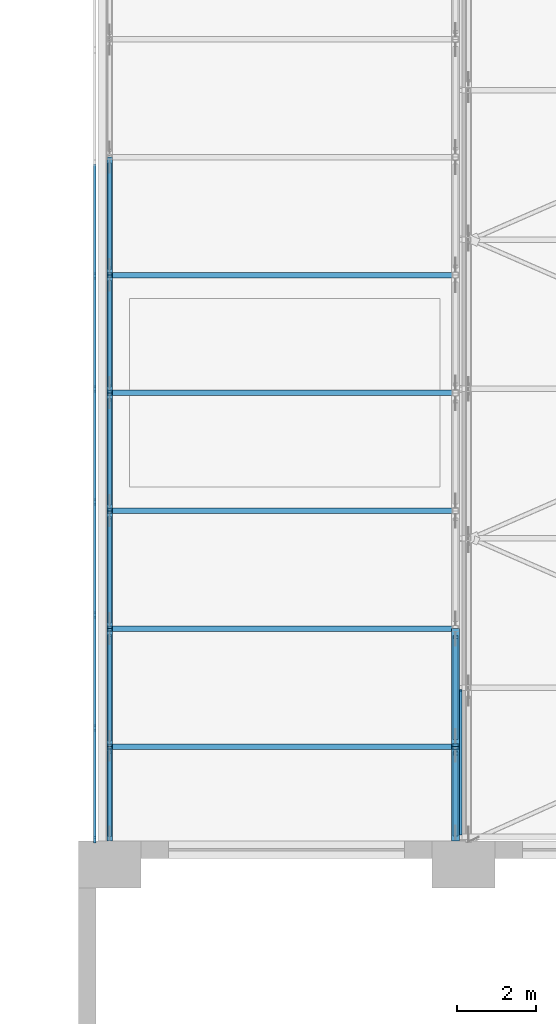
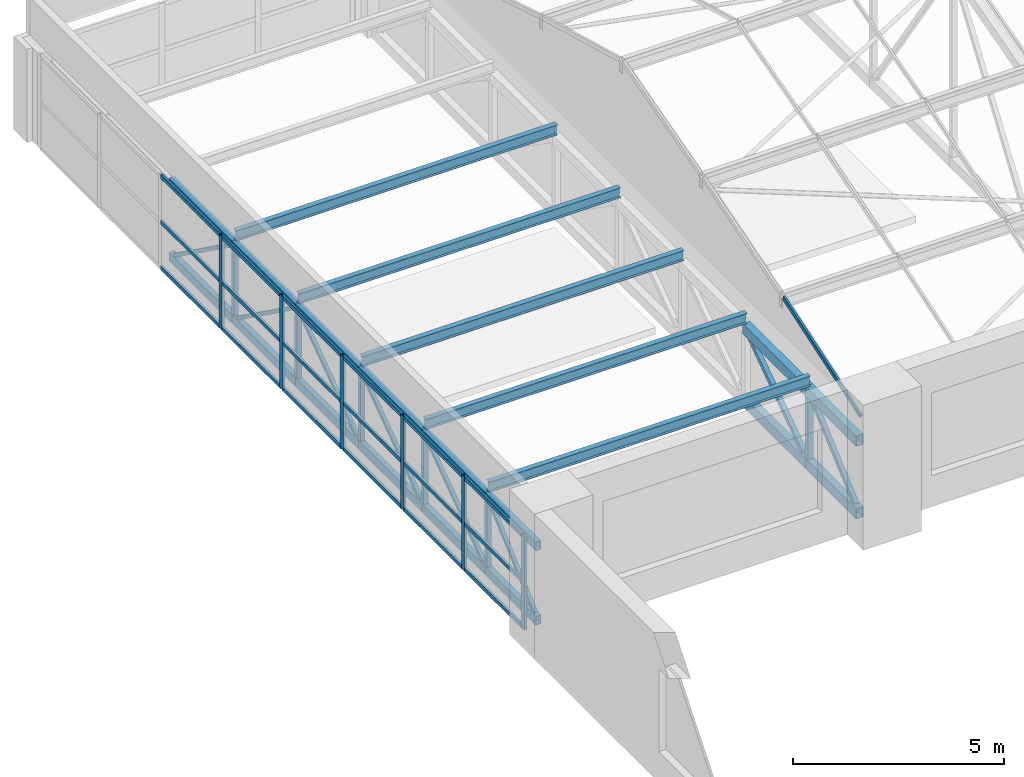
# One storey, part 5 of 82: 60 members, 2 elements without a shape of their own.
"""IFC4 building model written with IfcOpenShell, lengths in metres."""

from ifc_helpers import new_model, si_unit, direction, frame, origin, origin_2d, place, context, subcontext, project, spatial, rectangle, hollow_rectangle, i_section, extrude, material, material_profile, profile_set, type_object, element, aggregate, save


model = new_model("IFC4")

# Units and contexts
model_context = context("Model", 3, precision=1e-05, world=origin(), true_north=direction((0.0, 1.0)))
body_context = subcontext(model_context, "Body", "Model", "MODEL_VIEW")
ifc_project = project(units=[si_unit("LENGTHUNIT", "METRE"), si_unit("AREAUNIT", "SQUARE_METRE"), si_unit("VOLUMEUNIT", "CUBIC_METRE"), si_unit("PLANEANGLEUNIT", "RADIAN"), si_unit("MASSUNIT", "GRAM", prefix="KILO")], contexts=[model_context])

# Site, building, storey
site_placement = place(None, origin())
site = spatial("IfcSite", under=ifc_project, at=site_placement, CompositionType="ELEMENT")
building_placement = place(site_placement, origin())
building = spatial("IfcBuilding", under=site, at=building_placement, Name="Aravalli Gate Trade Fair Centre", CompositionType="ELEMENT")
storey_placement = place(building_placement, frame((0.0, 0.0, 19.199951171875)))
storey = spatial("IfcBuildingStorey", under=building, at=storey_placement, Name="L04", CompositionType="ELEMENT", Elevation=19.199951171875)

# Curtain wall, members
ifc_material_1 = material(Name="Aluminium and glass", Category="aluminium")
curtain_wall_type_1 = type_object("IfcCurtainWallType", Name="Curtain wall 3000 module", PredefinedType="NOTDEFINED", material=ifc_material_1)
curtain_wall_1_placement = place(storey_placement, origin())
curtain_wall_1 = element("IfcCurtainWall", 1, at=curtain_wall_1_placement, inside=storey, type_object=curtain_wall_type_1, Name="Curtain wall west end L04", PredefinedType="NOTDEFINED")
ifc_material_2 = material(Name="Aluminium", Category="aluminium")
ifc_material_profile_1 = material_profile(ifc_material_2, rectangle(XDim=0.06005859375, YDim=0.159912109375, at=origin_2d()), Name="Concourse curtain wall mullion 60 x 160")
ifc_profile_set_1 = profile_set([ifc_material_profile_1], Name="Aluminium")
member_type_1 = type_object("IfcMemberType", Name="Concourse curtain wall mullion 60 x 160", PredefinedType="MULLION", material=ifc_profile_set_1)
member_1_placement = place(storey_placement, frame((5.6201171875, 109.6298828125, 0.0), z_axis=(0.0, 0.0, 1.0), x_axis=(-1.0, 0.0, 0.0)))
member_1 = element("IfcMember", 2, at=member_1_placement, type_object=member_type_1, Name="CW1 mullion 1", PredefinedType="MULLION", context=body_context, shape_type="SweptSolid", body=[
    extrude(rectangle(XDim=0.06005859375, YDim=0.159912109375, at=origin_2d()), origin(), (0.0, 0.0, 1.0), 2.699951171875),
])
member_2_placement = place(storey_placement, frame((5.6201171875, 112.47509765625, 0.0), z_axis=(0.0, 0.0, 1.0), x_axis=(-1.0, 0.0, 0.0)))
member_2 = element("IfcMember", 3, at=member_2_placement, type_object=member_type_1, Name="CW1 mullion 2", PredefinedType="MULLION", context=body_context, shape_type="SweptSolid", body=[
    extrude(rectangle(XDim=0.06005859375, YDim=0.159912109375, at=origin_2d()), origin(), (0.0, 0.0, 1.0), 2.699951171875),
])
member_3_placement = place(storey_placement, frame((5.6201171875, 115.35009765625, 0.0), z_axis=(0.0, 0.0, 1.0), x_axis=(-1.0, 0.0, 0.0)))
member_3 = element("IfcMember", 4, at=member_3_placement, type_object=member_type_1, Name="CW1 mullion 3", PredefinedType="MULLION", context=body_context, shape_type="SweptSolid", body=[
    extrude(rectangle(XDim=0.06005859375, YDim=0.159912109375, at=origin_2d()), origin(), (0.0, 0.0, 1.0), 2.699951171875),
])
member_4_placement = place(storey_placement, frame((5.6201171875, 118.22509765625, 0.0), z_axis=(0.0, 0.0, 1.0), x_axis=(-1.0, 0.0, 0.0)))
member_4 = element("IfcMember", 5, at=member_4_placement, type_object=member_type_1, Name="CW1 mullion 4", PredefinedType="MULLION", context=body_context, shape_type="SweptSolid", body=[
    extrude(rectangle(XDim=0.06005859375, YDim=0.159912109375, at=origin_2d()), origin(), (0.0, 0.0, 1.0), 2.699951171875),
])
member_5_placement = place(storey_placement, frame((5.6201171875, 121.10009765625, 0.0), z_axis=(0.0, 0.0, 1.0), x_axis=(-1.0, 0.0, 0.0)))
member_5 = element("IfcMember", 6, at=member_5_placement, type_object=member_type_1, Name="CW1 mullion 5", PredefinedType="MULLION", context=body_context, shape_type="SweptSolid", body=[
    extrude(rectangle(XDim=0.06005859375, YDim=0.159912109375, at=origin_2d()), origin(), (0.0, 0.0, 1.0), 2.699951171875),
])
member_6_placement = place(storey_placement, frame((5.6201171875, 123.97509765625, 0.0), z_axis=(0.0, 0.0, 1.0), x_axis=(-1.0, 0.0, 0.0)))
member_6 = element("IfcMember", 7, at=member_6_placement, type_object=member_type_1, Name="CW1 mullion 6", PredefinedType="MULLION", context=body_context, shape_type="SweptSolid", body=[
    extrude(rectangle(XDim=0.06005859375, YDim=0.159912109375, at=origin_2d()), origin(), (0.0, 0.0, 1.0), 2.699951171875),
])
ifc_material_profile_2 = material_profile(ifc_material_2, rectangle(XDim=0.06005859375, YDim=0.1201171875, at=origin_2d()), Name="Concourse curtain wall transom 60 x 120")
ifc_profile_set_2 = profile_set([ifc_material_profile_2], Name="Aluminium")
member_type_2 = type_object("IfcMemberType", Name="Concourse curtain wall transom 60 x 120", PredefinedType="USERDEFINED", material=ifc_profile_set_2)
member_7_placement = place(storey_placement, frame((5.6201171875, 109.659912109375, 0.030029296875), z_axis=(0.0, 1.0, 0.0), x_axis=(-1.0, 0.0, 0.0)))
member_7 = element("IfcMember", 8, at=member_7_placement, type_object=member_type_2, Name="CW1 transom 1.1", ObjectType="TRANSOM", PredefinedType="USERDEFINED", context=body_context, shape_type="SweptSolid", body=[
    extrude(rectangle(XDim=0.06005859375, YDim=0.1201171875, at=origin_2d()), origin(), (0.0, 0.0, 1.0), 2.78515625),
])
member_8_placement = place(storey_placement, frame((5.6201171875, 109.659912109375, 1.35009765625), z_axis=(0.0, 1.0, 0.0), x_axis=(-1.0, 0.0, 0.0)))
member_8 = element("IfcMember", 9, at=member_8_placement, type_object=member_type_2, Name="CW1 transom 1.2", ObjectType="TRANSOM", PredefinedType="USERDEFINED", context=body_context, shape_type="SweptSolid", body=[
    extrude(rectangle(XDim=0.06005859375, YDim=0.1201171875, at=origin_2d()), origin(), (0.0, 0.0, 1.0), 2.78515625),
])
member_9_placement = place(storey_placement, frame((5.6201171875, 109.659912109375, 2.670166015625), z_axis=(0.0, 1.0, 0.0), x_axis=(-1.0, 0.0, 0.0)))
member_9 = element("IfcMember", 10, at=member_9_placement, type_object=member_type_2, Name="CW1 transom 1.3", ObjectType="TRANSOM", PredefinedType="USERDEFINED", context=body_context, shape_type="SweptSolid", body=[
    extrude(rectangle(XDim=0.06005859375, YDim=0.1201171875, at=origin_2d()), origin(), (0.0, 0.0, 1.0), 2.78515625),
])
member_10_placement = place(storey_placement, frame((5.6201171875, 112.5048828125, 0.030029296875), z_axis=(0.0, 1.0, 0.0), x_axis=(-1.0, 0.0, 0.0)))
member_10 = element("IfcMember", 11, at=member_10_placement, type_object=member_type_2, Name="CW1 transom 2.1", ObjectType="TRANSOM", PredefinedType="USERDEFINED", context=body_context, shape_type="SweptSolid", body=[
    extrude(rectangle(XDim=0.06005859375, YDim=0.1201171875, at=origin_2d()), origin(), (0.0, 0.0, 1.0), 2.815185546875),
])
member_11_placement = place(storey_placement, frame((5.6201171875, 112.5048828125, 1.35009765625), z_axis=(0.0, 1.0, 0.0), x_axis=(-1.0, 0.0, 0.0)))
member_11 = element("IfcMember", 12, at=member_11_placement, type_object=member_type_2, Name="CW1 transom 2.2", ObjectType="TRANSOM", PredefinedType="USERDEFINED", context=body_context, shape_type="SweptSolid", body=[
    extrude(rectangle(XDim=0.06005859375, YDim=0.1201171875, at=origin_2d()), origin(), (0.0, 0.0, 1.0), 2.815185546875),
])
member_12_placement = place(storey_placement, frame((5.6201171875, 112.5048828125, 2.670166015625), z_axis=(0.0, 1.0, 0.0), x_axis=(-1.0, 0.0, 0.0)))
member_12 = element("IfcMember", 13, at=member_12_placement, type_object=member_type_2, Name="CW1 transom 2.3", ObjectType="TRANSOM", PredefinedType="USERDEFINED", context=body_context, shape_type="SweptSolid", body=[
    extrude(rectangle(XDim=0.06005859375, YDim=0.1201171875, at=origin_2d()), origin(), (0.0, 0.0, 1.0), 2.815185546875),
])
member_13_placement = place(storey_placement, frame((5.6201171875, 115.3798828125, 0.030029296875), z_axis=(0.0, 1.0, 0.0), x_axis=(-1.0, 0.0, 0.0)))
member_13 = element("IfcMember", 14, at=member_13_placement, type_object=member_type_2, Name="CW1 transom 3.1", ObjectType="TRANSOM", PredefinedType="USERDEFINED", context=body_context, shape_type="SweptSolid", body=[
    extrude(rectangle(XDim=0.06005859375, YDim=0.1201171875, at=origin_2d()), origin(), (0.0, 0.0, 1.0), 2.815185546875),
])
member_14_placement = place(storey_placement, frame((5.6201171875, 115.3798828125, 1.35009765625), z_axis=(0.0, 1.0, 0.0), x_axis=(-1.0, 0.0, 0.0)))
member_14 = element("IfcMember", 15, at=member_14_placement, type_object=member_type_2, Name="CW1 transom 3.2", ObjectType="TRANSOM", PredefinedType="USERDEFINED", context=body_context, shape_type="SweptSolid", body=[
    extrude(rectangle(XDim=0.06005859375, YDim=0.1201171875, at=origin_2d()), origin(), (0.0, 0.0, 1.0), 2.815185546875),
])
member_15_placement = place(storey_placement, frame((5.6201171875, 115.3798828125, 2.670166015625), z_axis=(0.0, 1.0, 0.0), x_axis=(-1.0, 0.0, 0.0)))
member_15 = element("IfcMember", 16, at=member_15_placement, type_object=member_type_2, Name="CW1 transom 3.3", ObjectType="TRANSOM", PredefinedType="USERDEFINED", context=body_context, shape_type="SweptSolid", body=[
    extrude(rectangle(XDim=0.06005859375, YDim=0.1201171875, at=origin_2d()), origin(), (0.0, 0.0, 1.0), 2.815185546875),
])
member_16_placement = place(storey_placement, frame((5.6201171875, 118.2548828125, 0.030029296875), z_axis=(0.0, 1.0, 0.0), x_axis=(-1.0, 0.0, 0.0)))
member_16 = element("IfcMember", 17, at=member_16_placement, type_object=member_type_2, Name="CW1 transom 4.1", ObjectType="TRANSOM", PredefinedType="USERDEFINED", context=body_context, shape_type="SweptSolid", body=[
    extrude(rectangle(XDim=0.06005859375, YDim=0.1201171875, at=origin_2d()), origin(), (0.0, 0.0, 1.0), 2.815185546875),
])
member_17_placement = place(storey_placement, frame((5.6201171875, 118.2548828125, 1.35009765625), z_axis=(0.0, 1.0, 0.0), x_axis=(-1.0, 0.0, 0.0)))
member_17 = element("IfcMember", 18, at=member_17_placement, type_object=member_type_2, Name="CW1 transom 4.2", ObjectType="TRANSOM", PredefinedType="USERDEFINED", context=body_context, shape_type="SweptSolid", body=[
    extrude(rectangle(XDim=0.06005859375, YDim=0.1201171875, at=origin_2d()), origin(), (0.0, 0.0, 1.0), 2.815185546875),
])
member_18_placement = place(storey_placement, frame((5.6201171875, 118.2548828125, 2.670166015625), z_axis=(0.0, 1.0, 0.0), x_axis=(-1.0, 0.0, 0.0)))
member_18 = element("IfcMember", 19, at=member_18_placement, type_object=member_type_2, Name="CW1 transom 4.3", ObjectType="TRANSOM", PredefinedType="USERDEFINED", context=body_context, shape_type="SweptSolid", body=[
    extrude(rectangle(XDim=0.06005859375, YDim=0.1201171875, at=origin_2d()), origin(), (0.0, 0.0, 1.0), 2.815185546875),
])
member_19_placement = place(storey_placement, frame((5.6201171875, 121.1298828125, 0.030029296875), z_axis=(0.0, 1.0, 0.0), x_axis=(-1.0, 0.0, 0.0)))
member_19 = element("IfcMember", 20, at=member_19_placement, type_object=member_type_2, Name="CW1 transom 5.1", ObjectType="TRANSOM", PredefinedType="USERDEFINED", context=body_context, shape_type="SweptSolid", body=[
    extrude(rectangle(XDim=0.06005859375, YDim=0.1201171875, at=origin_2d()), origin(), (0.0, 0.0, 1.0), 2.815185546875),
])
member_20_placement = place(storey_placement, frame((5.6201171875, 121.1298828125, 1.35009765625), z_axis=(0.0, 1.0, 0.0), x_axis=(-1.0, 0.0, 0.0)))
member_20 = element("IfcMember", 21, at=member_20_placement, type_object=member_type_2, Name="CW1 transom 5.2", ObjectType="TRANSOM", PredefinedType="USERDEFINED", context=body_context, shape_type="SweptSolid", body=[
    extrude(rectangle(XDim=0.06005859375, YDim=0.1201171875, at=origin_2d()), origin(), (0.0, 0.0, 1.0), 2.815185546875),
])
member_21_placement = place(storey_placement, frame((5.6201171875, 121.1298828125, 2.670166015625), z_axis=(0.0, 1.0, 0.0), x_axis=(-1.0, 0.0, 0.0)))
member_21 = element("IfcMember", 22, at=member_21_placement, type_object=member_type_2, Name="CW1 transom 5.3", ObjectType="TRANSOM", PredefinedType="USERDEFINED", context=body_context, shape_type="SweptSolid", body=[
    extrude(rectangle(XDim=0.06005859375, YDim=0.1201171875, at=origin_2d()), origin(), (0.0, 0.0, 1.0), 2.815185546875),
])
member_22_placement = place(storey_placement, frame((5.6201171875, 124.0048828125, 0.030029296875), z_axis=(0.0, 1.0, 0.0), x_axis=(-1.0, 0.0, 0.0)))
member_22 = element("IfcMember", 23, at=member_22_placement, type_object=member_type_2, Name="CW1 transom 6.1", ObjectType="TRANSOM", PredefinedType="USERDEFINED", context=body_context, shape_type="SweptSolid", body=[
    extrude(rectangle(XDim=0.06005859375, YDim=0.1201171875, at=origin_2d()), origin(), (0.0, 0.0, 1.0), 2.815185546875),
])
member_23_placement = place(storey_placement, frame((5.6201171875, 124.0048828125, 1.35009765625), z_axis=(0.0, 1.0, 0.0), x_axis=(-1.0, 0.0, 0.0)))
member_23 = element("IfcMember", 24, at=member_23_placement, type_object=member_type_2, Name="CW1 transom 6.2", ObjectType="TRANSOM", PredefinedType="USERDEFINED", context=body_context, shape_type="SweptSolid", body=[
    extrude(rectangle(XDim=0.06005859375, YDim=0.1201171875, at=origin_2d()), origin(), (0.0, 0.0, 1.0), 2.815185546875),
])
member_24_placement = place(storey_placement, frame((5.6201171875, 124.0048828125, 2.670166015625), z_axis=(0.0, 1.0, 0.0), x_axis=(-1.0, 0.0, 0.0)))
member_24 = element("IfcMember", 25, at=member_24_placement, type_object=member_type_2, Name="CW1 transom 6.3", ObjectType="TRANSOM", PredefinedType="USERDEFINED", context=body_context, shape_type="SweptSolid", body=[
    extrude(rectangle(XDim=0.06005859375, YDim=0.1201171875, at=origin_2d()), origin(), (0.0, 0.0, 1.0), 2.815185546875),
])
aggregate(curtain_wall_1, [member_1, member_2, member_3, member_4, member_5, member_6, member_7, member_8, member_9, member_10, member_11, member_12, member_13, member_14, member_15, member_16, member_17, member_18, member_19, member_20, member_21, member_22, member_23, member_24])

# Members
ifc_material_3 = material(Name="Steel E350", Category="steel")
ifc_material_profile_3 = material_profile(ifc_material_3, i_section(OverallWidth=0.139892578125, OverallDepth=0.300048828125, WebThickness=0.0078125, FlangeThickness=0.01318359375, at=origin_2d()), Name="ISMB 300")
ifc_profile_set_3 = profile_set([ifc_material_profile_3], Name="Steel E350")
member_type_3 = type_object("IfcMemberType", Name="ISMB 300 roof purlin", PredefinedType="PURLIN", material=ifc_profile_set_3)
for number, where, z_axis, x_axis, name in (
    (26, (6.0, 112.0, 2.550048828125), (1.0, 0.0, 0.0), (0.0, 1.0, 0.0), "Concourse purlin 01-02 P1"),
    (27, (6.0, 115.0, 2.550048828125), (1.0, 0.0, 0.0), (0.0, 1.0, 0.0), "Concourse purlin 01-02 P2"),
    (28, (6.0, 118.0, 2.550048828125), (1.0, 0.0, 0.0), (0.0, 1.0, 0.0), "Concourse purlin 01-02 P3"),
    (29, (6.0, 121.0, 2.550048828125), (1.0, 0.0, 0.0), (0.0, 1.0, 0.0), "Concourse purlin 01-02 P4"),
    (30, (6.0, 124.0, 2.550048828125), (1.0, 0.0, 0.0), (0.0, 1.0, 0.0), "Concourse purlin 01-02 P5"),
):
    element("IfcMember", number, at=place(storey_placement, frame(where, z_axis=z_axis, x_axis=x_axis)), inside=storey, type_object=member_type_3, Name=name, PredefinedType="PURLIN", context=body_context, shape_type="SweptSolid", body=[
        extrude(i_section(OverallWidth=0.139892578125, OverallDepth=0.300048828125, WebThickness=0.0078125, FlangeThickness=0.01318359375, at=origin_2d()), origin(), (0.0, 0.0, 1.0), 8.800048828125),
    ])
ifc_material_profile_4 = material_profile(ifc_material_3, hollow_rectangle(XDim=0.14990234375, YDim=0.25, WallThickness=0.010009765625, at=origin_2d()), Name="RHS 250x150x10")
ifc_profile_set_4 = profile_set([ifc_material_profile_4], Name="Steel E350")
member_type_4 = type_object("IfcMemberType", Name="RHS 250x150x10 CT3 truss chord", PredefinedType="CHORD", material=ifc_profile_set_4)
for number, where, z_axis, x_axis, name in (
    (31, (6.0, 109.60009765625, 2.275146484375), (0.0, 1.0, 0.0), (-1.0, 0.0, 0.0), "Concourse truss CT3 line 01 chord T1"),
    (32, (6.0, 109.60009765625, 0.125), (0.0, 1.0, 0.0), (-1.0, 0.0, 0.0), "Concourse truss CT3 line 01 chord B1"),
):
    element("IfcMember", number, at=place(storey_placement, frame(where, z_axis=z_axis, x_axis=x_axis)), inside=storey, type_object=member_type_4, Name=name, PredefinedType="CHORD", context=body_context, shape_type="SweptSolid", body=[
        extrude(hollow_rectangle(XDim=0.14990234375, YDim=0.25, WallThickness=0.010009765625, at=origin_2d()), origin(), (0.0, 0.0, 1.0), 2.39990234375),
    ])
for number, where, z_axis, x_axis, name in (
    (33, (6.0, 112.0, 2.275146484375), (0.0, 1.0, 0.0), (-1.0, 0.0, 0.0), "Concourse truss CT3 line 01 chord T2"),
    (34, (6.0, 112.0, 0.125), (0.0, 1.0, 0.0), (-1.0, 0.0, 0.0), "Concourse truss CT3 line 01 chord B2"),
    (35, (6.0, 115.0, 2.275146484375), (0.0, 1.0, 0.0), (-1.0, 0.0, 0.0), "Concourse truss CT3 line 01 chord T3"),
    (36, (6.0, 115.0, 0.125), (0.0, 1.0, 0.0), (-1.0, 0.0, 0.0), "Concourse truss CT3 line 01 chord B3"),
    (37, (6.0, 118.0, 2.275146484375), (0.0, 1.0, 0.0), (-1.0, 0.0, 0.0), "Concourse truss CT3 line 01 chord T4"),
    (38, (6.0, 118.0, 0.125), (0.0, 1.0, 0.0), (-1.0, 0.0, 0.0), "Concourse truss CT3 line 01 chord B4"),
    (39, (6.0, 121.0, 2.275146484375), (0.0, 1.0, 0.0), (-1.0, 0.0, 0.0), "Concourse truss CT3 line 01 chord T5"),
    (40, (6.0, 121.0, 0.125), (0.0, 1.0, 0.0), (-1.0, 0.0, 0.0), "Concourse truss CT3 line 01 chord B5"),
    (41, (6.0, 124.0, 2.275146484375), (0.0, 1.0, 0.0), (-1.0, 0.0, 0.0), "Concourse truss CT3 line 01 chord T6"),
    (42, (6.0, 124.0, 0.125), (0.0, 1.0, 0.0), (-1.0, 0.0, 0.0), "Concourse truss CT3 line 01 chord B6"),
):
    element("IfcMember", number, at=place(storey_placement, frame(where, z_axis=z_axis, x_axis=x_axis)), inside=storey, type_object=member_type_4, Name=name, PredefinedType="CHORD", context=body_context, shape_type="SweptSolid", body=[
        extrude(hollow_rectangle(XDim=0.14990234375, YDim=0.25, WallThickness=0.010009765625, at=origin_2d()), origin(), (0.0, 0.0, 1.0), 3.0),
    ])
ifc_material_profile_5 = material_profile(ifc_material_3, hollow_rectangle(XDim=0.199951171875, YDim=0.300048828125, WallThickness=0.011962890625, at=origin_2d()), Name="RHS 300x200x12")
ifc_profile_set_5 = profile_set([ifc_material_profile_5], Name="Steel E350")
member_type_5 = type_object("IfcMemberType", Name="RHS 300x200x12 CT4 truss chord", PredefinedType="CHORD", material=ifc_profile_set_5)
for number, where, z_axis, x_axis, name in (
    (43, (14.800048828125, 109.60009765625, 2.25), (0.0, 1.0, 0.0), (-1.0, 0.0, 0.0), "Concourse truss CT4 line 02F chord T1"),
    (44, (14.800048828125, 109.60009765625, 0.150146484375), (0.0, 1.0, 0.0), (-1.0, 0.0, 0.0), "Concourse truss CT4 line 02F chord B1"),
):
    element("IfcMember", number, at=place(storey_placement, frame(where, z_axis=z_axis, x_axis=x_axis)), inside=storey, type_object=member_type_5, Name=name, PredefinedType="CHORD", context=body_context, shape_type="SweptSolid", body=[
        extrude(hollow_rectangle(XDim=0.199951171875, YDim=0.300048828125, WallThickness=0.011962890625, at=origin_2d()), origin(), (0.0, 0.0, 1.0), 2.39990234375),
    ])
for number, where, z_axis, x_axis, name in (
    (45, (14.800048828125, 112.0, 2.25), (0.0, 1.0, 0.0), (-1.0, 0.0, 0.0), "Concourse truss CT4 line 02F chord T2"),
    (46, (14.800048828125, 112.0, 0.150146484375), (0.0, 1.0, 0.0), (-1.0, 0.0, 0.0), "Concourse truss CT4 line 02F chord B2"),
):
    element("IfcMember", number, at=place(storey_placement, frame(where, z_axis=z_axis, x_axis=x_axis)), inside=storey, type_object=member_type_5, Name=name, PredefinedType="CHORD", context=body_context, shape_type="SweptSolid", body=[
        extrude(hollow_rectangle(XDim=0.199951171875, YDim=0.300048828125, WallThickness=0.011962890625, at=origin_2d()), origin(), (0.0, 0.0, 1.0), 3.0),
    ])
ifc_material_profile_6 = material_profile(ifc_material_3, hollow_rectangle(XDim=0.10009765625, YDim=0.10009765625, WallThickness=0.006103515625, at=origin_2d()), Name="SHS 100x100x6")
ifc_profile_set_6 = profile_set([ifc_material_profile_6], Name="Steel E350")
member_type_6 = type_object("IfcMemberType", Name="SHS 100x100x6 CT3 truss diagonal", PredefinedType="BRACE", material=ifc_profile_set_6)
member_25_placement = place(storey_placement, frame((6.0, 109.739501953125, 0.25), z_axis=(0.0, 0.744835335723, 0.667248321585), x_axis=(-1.0, 0.0, 0.0)))
element("IfcMember", 47, at=member_25_placement, inside=storey, type_object=member_type_6, Name="Concourse truss CT3 line 01 diagonal D1", PredefinedType="BRACE", context=body_context, shape_type="SweptSolid", body=[
    extrude(hollow_rectangle(XDim=0.10009765625, YDim=0.10009765625, WallThickness=0.006103515625, at=origin_2d()), origin(), (0.0, 0.0, 1.0), 2.84765625),
])
for number, where, z_axis, x_axis, name in (
    (48, (6.0, 112.17431640625, 0.25), (0.0, 0.812817127574, 0.582518941428), (-1.0, 0.0, 0.0), "Concourse truss CT3 line 01 diagonal D2"),
    (49, (6.0, 115.17431640625, 0.25), (0.0, 0.812817127574, 0.582518941428), (-1.0, 0.0, 0.0), "Concourse truss CT3 line 01 diagonal D3"),
    (50, (6.0, 118.17431640625, 0.25), (0.0, 0.812817127574, 0.582518941428), (-1.0, 0.0, 0.0), "Concourse truss CT3 line 01 diagonal D4"),
    (51, (6.0, 121.17431640625, 2.150146484375), (0.0, 0.812817127574, -0.582518941428), (-1.0, 0.0, 0.0), "Concourse truss CT3 line 01 diagonal D5"),
    (52, (6.0, 124.17431640625, 2.150146484375), (0.0, 0.812817127574, -0.582518941428), (-1.0, 0.0, 0.0), "Concourse truss CT3 line 01 diagonal D6"),
):
    element("IfcMember", number, at=place(storey_placement, frame(where, z_axis=z_axis, x_axis=x_axis)), inside=storey, type_object=member_type_6, Name=name, PredefinedType="BRACE", context=body_context, shape_type="SweptSolid", body=[
        extrude(hollow_rectangle(XDim=0.10009765625, YDim=0.10009765625, WallThickness=0.006103515625, at=origin_2d()), origin(), (0.0, 0.0, 1.0), 3.261962890625),
    ])
ifc_material_profile_7 = material_profile(ifc_material_3, hollow_rectangle(XDim=0.125, YDim=0.125, WallThickness=0.006103515625, at=origin_2d()), Name="SHS 125x125x6")
ifc_profile_set_7 = profile_set([ifc_material_profile_7], Name="Steel E350")
member_type_7 = type_object("IfcMemberType", Name="SHS 125x125x6 CT3 truss post", PredefinedType="POST", material=ifc_profile_set_7)
for number, where, z_axis, x_axis, name in (
    (53, (6.0, 112.0, 0.25), (0.0, 0.0, 1.0), (1.0, 0.0, 0.0), "Concourse truss CT3 line 01 post V1"),
    (54, (6.0, 115.0, 0.25), (0.0, 0.0, 1.0), (1.0, 0.0, 0.0), "Concourse truss CT3 line 01 post V2"),
    (55, (6.0, 118.0, 0.25), (0.0, 0.0, 1.0), (1.0, 0.0, 0.0), "Concourse truss CT3 line 01 post V3"),
    (56, (6.0, 121.0, 0.25), (0.0, 0.0, 1.0), (1.0, 0.0, 0.0), "Concourse truss CT3 line 01 post V4"),
    (57, (6.0, 124.0, 0.25), (0.0, 0.0, 1.0), (1.0, 0.0, 0.0), "Concourse truss CT3 line 01 post V5"),
):
    element("IfcMember", number, at=place(storey_placement, frame(where, z_axis=z_axis, x_axis=x_axis)), inside=storey, type_object=member_type_7, Name=name, PredefinedType="POST", context=body_context, shape_type="SweptSolid", body=[
        extrude(hollow_rectangle(XDim=0.125, YDim=0.125, WallThickness=0.006103515625, at=origin_2d()), origin(), (0.0, 0.0, 1.0), 1.900146484375),
    ])
ifc_material_profile_8 = material_profile(ifc_material_3, hollow_rectangle(XDim=0.125, YDim=0.125, WallThickness=0.006103515625, at=origin_2d()), Name="SHS 125x125x6")
ifc_profile_set_8 = profile_set([ifc_material_profile_8], Name="Steel E350")
member_type_8 = type_object("IfcMemberType", Name="SHS 125x125x6 CT4 truss diagonal", PredefinedType="BRACE", material=ifc_profile_set_8)
member_26_placement = place(storey_placement, frame((14.800048828125, 109.771484375, 0.300048828125), z_axis=(0.0, 0.752565629063, 0.658517254104), x_axis=(-1.0, 0.0, 0.0)))
element("IfcMember", 58, at=member_26_placement, inside=storey, type_object=member_type_8, Name="Concourse truss CT4 line 02F diagonal D1", PredefinedType="BRACE", context=body_context, shape_type="SweptSolid", body=[
    extrude(hollow_rectangle(XDim=0.125, YDim=0.125, WallThickness=0.006103515625, at=origin_2d()), origin(), (0.0, 0.0, 1.0), 2.7333984375),
])
member_27_placement = place(storey_placement, frame((14.800048828125, 112.21435546875, 0.300048828125), z_axis=(0.0, 0.819209994526, 0.573493665936), x_axis=(-1.0, 0.0, 0.0)))
element("IfcMember", 59, at=member_27_placement, inside=storey, type_object=member_type_8, Name="Concourse truss CT4 line 02F diagonal D2", PredefinedType="BRACE", context=body_context, shape_type="SweptSolid", body=[
    extrude(hollow_rectangle(XDim=0.125, YDim=0.125, WallThickness=0.006103515625, at=origin_2d()), origin(), (0.0, 0.0, 1.0), 3.138671875),
])
ifc_material_profile_9 = material_profile(ifc_material_3, hollow_rectangle(XDim=0.14990234375, YDim=0.14990234375, WallThickness=0.006103515625, at=origin_2d()), Name="SHS 150x150x6")
ifc_profile_set_9 = profile_set([ifc_material_profile_9], Name="Steel E350")
member_type_9 = type_object("IfcMemberType", Name="SHS 150x150x6 CT4 truss post", PredefinedType="POST", material=ifc_profile_set_9)
member_28_placement = place(storey_placement, frame((14.800048828125, 112.0, 0.300048828125), z_axis=(0.0, 0.0, 1.0), x_axis=(1.0, 0.0, 0.0)))
element("IfcMember", 60, at=member_28_placement, inside=storey, type_object=member_type_9, Name="Concourse truss CT4 line 02F post V1", PredefinedType="POST", context=body_context, shape_type="SweptSolid", body=[
    extrude(hollow_rectangle(XDim=0.14990234375, YDim=0.14990234375, WallThickness=0.006103515625, at=origin_2d()), origin(), (0.0, 0.0, 1.0), 1.800048828125),
])

# Curtain wall, member
curtain_wall_type_2 = type_object("IfcCurtainWallType", Name="Vault curtain wall, sloped glazing", PredefinedType="NOTDEFINED", material=ifc_material_1)
curtain_wall_2_placement = place(storey_placement, origin())
curtain_wall_2 = element("IfcCurtainWall", 61, at=curtain_wall_2_placement, inside=storey, type_object=curtain_wall_type_2, Name="Vault curtain wall w", PredefinedType="NOTDEFINED")
ifc_material_profile_10 = material_profile(ifc_material_2, rectangle(XDim=0.06005859375, YDim=0.1201171875, at=origin_2d()), Name="Vault glazing bar 60 x 120")
ifc_profile_set_10 = profile_set([ifc_material_profile_10], Name="Aluminium")
member_type_10 = type_object("IfcMemberType", Name="Vault glazing bar 60 x 120", PredefinedType="USERDEFINED", material=ifc_profile_set_10)
member_29_placement = place(storey_placement, frame((14.929931640625, 109.77001953125, 2.81005859375), z_axis=(0.0, 0.949930492103, 0.31246129388), x_axis=(-1.0, 0.0, 0.0)))
member_29 = element("IfcMember", 62, at=member_29_placement, type_object=member_type_10, Name="Vault glazing bar w1.1", ObjectType="GLAZING BAR", PredefinedType="USERDEFINED", context=body_context, shape_type="SweptSolid", body=[
    extrude(rectangle(XDim=0.06005859375, YDim=0.1201171875, at=origin_2d()), origin(), (0.0, 0.0, 1.0), 3.852783203125),
])
aggregate(curtain_wall_2, [member_29])

save(model, "model.ifc")
